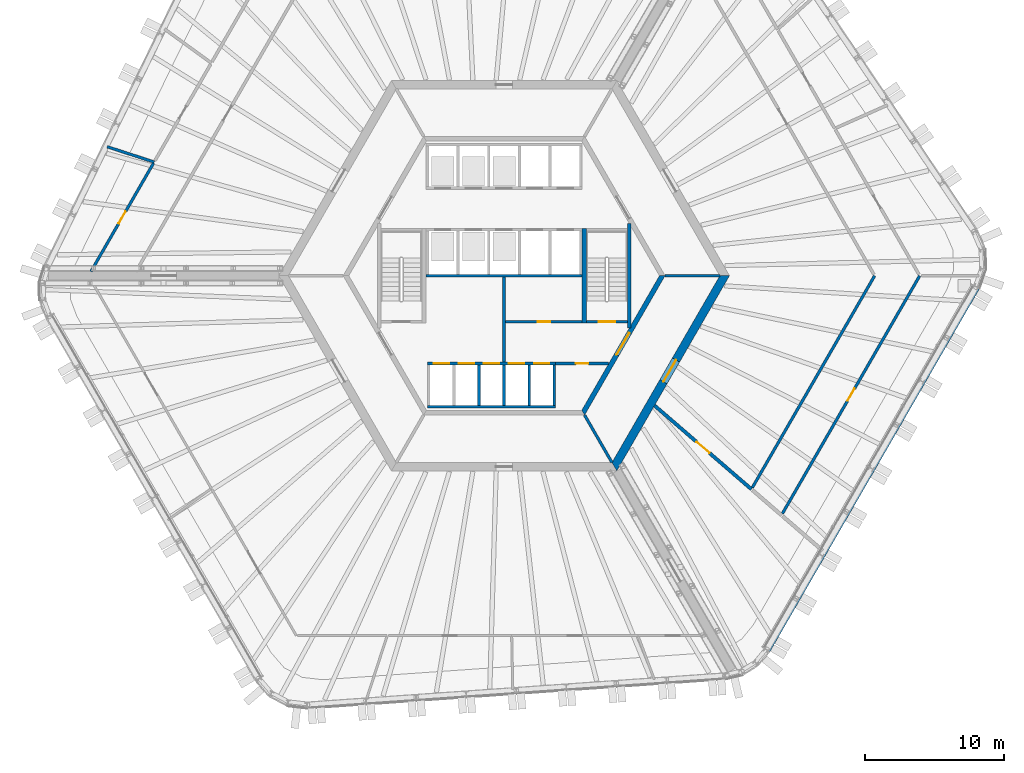
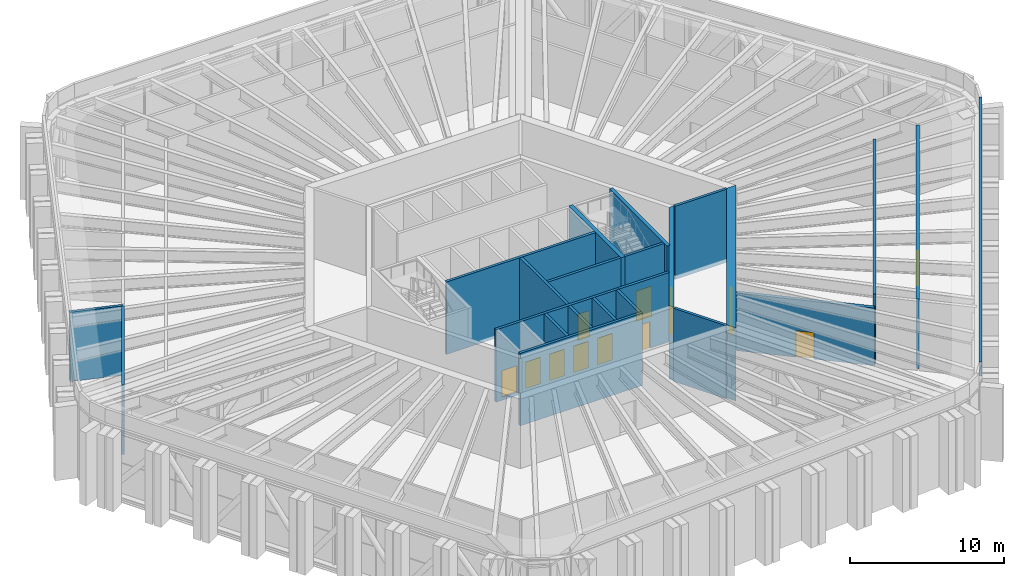
# One storey, part 14 of 27: 23 walls, 13 doors, 13 openings.
"""IFC4 building model written with IfcOpenShell, lengths in metres."""

from ifc_helpers import new_model, si_unit, direction, frame, frame_2d, origin, place, context, subcontext, project, spatial, polyline, rectangle, outline, extrude, material, layer, layer_set, type_object, element, fill, save


model = new_model("IFC4")

# Units and contexts
model_context = context("Model", 3, precision=1e-05, world=origin(), true_north=direction((0.0, 1.0)))
body_context = subcontext(model_context, "Body", "Model", "MODEL_VIEW")
ifc_project = project(units=[si_unit("LENGTHUNIT", "METRE"), si_unit("AREAUNIT", "SQUARE_METRE"), si_unit("VOLUMEUNIT", "CUBIC_METRE"), si_unit("PLANEANGLEUNIT", "RADIAN"), si_unit("MASSUNIT", "GRAM", prefix="KILO")], contexts=[model_context])

# Site, building, storey
site_placement = place(None, origin())
site = spatial("IfcSite", under=ifc_project, at=site_placement, CompositionType="ELEMENT")
building_placement = place(site_placement, origin())
building = spatial("IfcBuilding", under=site, at=building_placement, Name="Tarnside Tower", CompositionType="ELEMENT")
storey_placement = place(building_placement, frame((0.0, 0.0, 146.699951171875)))
storey = spatial("IfcBuildingStorey", under=building, at=storey_placement, Name="L34", CompositionType="ELEMENT", Elevation=146.699951171875)

# Wall, opening, door
ifc_material_1 = material(Name="Concrete C50/60", Category="concrete")
ifc_layer_1 = layer(ifc_material_1, 0.35009765625)
ifc_layer_set_1 = layer_set([ifc_layer_1], Name="Core block wall 350 C50/60")
wall_type_1 = type_object("IfcWallType", Name="Core block wall 350 C50/60", PredefinedType="SHEAR", material=ifc_layer_set_1)
wall_1_placement = place(storey_placement, frame((5.672607421875, -9.824951171875, -0.300048828125), z_axis=(0.0, 0.0, 1.0), x_axis=(0.499995046907, 0.866028263435, 0.0)))
wall_1 = element("IfcWall", 1, at=wall_1_placement, inside=storey, type_object=wall_type_1, Name="L34 core block wall face 5", PredefinedType="SHEAR", context=body_context, shape_type="SweptSolid", body=[
    extrude(outline(polyline([(-0.10107421875, -0.175048828125), (11.44580078125, -0.175048828125), (11.24365234375, 0.175048828125), (0.10107421875, 0.175048828125), (-0.10107421875, -0.175048828125)])), origin(), (0.0, 0.0, 1.0), 5.800048828125),
])
opening_1_placement = place(wall_1_placement, frame((4.80126953125, 0.0, 0.300048828125)))
opening_1 = element("IfcOpeningElement", 2, at=opening_1_placement, cuts=wall_1, Name="Opening CD-FFL", PredefinedType="OPENING", context=body_context, shape_type="SweptSolid", body=[
    extrude(rectangle(XDim=1.800048828125, YDim=2.39990234375, at=frame_2d((0.89990234375, 1.199951171875))), frame((0.0, 0.18505859375, 0.0), z_axis=(0.0, -1.0, 0.0), x_axis=(1.0, 0.0, 0.0)), (0.0, 0.0, 1.0), 0.3701171875),
])
ifc_material_2 = material(Name="Steel fire door", Category="steel")
door_type_1 = type_object("IfcDoorType", Name="Firefighting lobby double door FD60S 1800x2400", OperationType="NOTDEFINED", PredefinedType="DOOR", material=ifc_material_2)
door_1_placement = place(opening_1_placement, origin())
door_1 = element("IfcDoor", 3, at=door_1_placement, inside=storey, type_object=door_type_1, Name="L34 lobby block door P4", OperationType="DOUBLE_DOOR_SINGLE_SWING", OverallHeight=2.39990234375, OverallWidth=1.800048828125, PredefinedType="DOOR", context=body_context, shape_type="SweptSolid", body=[
    extrude(rectangle(XDim=1.800048828125, YDim=2.39990234375, at=frame_2d((0.89990234375, 1.199951171875))), frame((0.0, 0.02490234375, 0.0), z_axis=(0.0, -1.0, 0.0), x_axis=(1.0, 0.0, 0.0)), (0.0, 0.0, 1.0), 0.050048828125),
])
fill(opening_1, door_1)

ifc_material_3 = material(Name="Concrete C40/50", Category="concrete")
ifc_layer_2 = layer(ifc_material_3, 0.199951171875)
ifc_layer_set_2 = layer_set([ifc_layer_2], Name="Core room partition 200 C40/50")
wall_type_2 = type_object("IfcWallType", Name="Core room partition 200 C40/50", PredefinedType="PARTITIONING", material=ifc_layer_set_2)
wall_2_placement = place(storey_placement, frame((0.10009765625, -3.300048828125, 0.0), z_axis=(0.0, 0.0, 1.0), x_axis=(1.0, 0.0, 0.0)))
wall_2 = element("IfcWall", 4, at=wall_2_placement, inside=storey, type_object=wall_type_2, Name="L34 core partition R3S1", PredefinedType="PARTITIONING", context=body_context, shape_type="SweptSolid", body=[
    extrude(rectangle(XDim=5.5, YDim=0.199951171875, at=frame_2d((2.75, 0.0))), origin(), (0.0, 0.0, 1.0), 5.5),
])
opening_2_placement = place(wall_2_placement, frame((2.300048828125, 0.0, 0.0)))
opening_2 = element("IfcOpeningElement", 5, at=opening_2_placement, cuts=wall_2, Name="Opening CD-room", PredefinedType="OPENING", context=body_context, shape_type="SweptSolid", body=[
    extrude(rectangle(XDim=0.89990234375, YDim=2.10009765625, at=frame_2d((0.449951171875, 1.050048828125))), frame((0.0, 0.10986328125, 0.0), z_axis=(0.0, -1.0, 0.0), x_axis=(1.0, 0.0, 0.0)), (0.0, 0.0, 1.0), 0.219970703125),
])
door_type_2 = type_object("IfcDoorType", Name="Room door FD60 900x2100", OperationType="NOTDEFINED", PredefinedType="DOOR", material=ifc_material_2)
door_2_placement = place(opening_2_placement, origin())
door_2 = element("IfcDoor", 6, at=door_2_placement, inside=storey, type_object=door_type_2, Name="L34 core room door SR1", OperationType="SINGLE_SWING_LEFT", OverallHeight=2.10009765625, OverallWidth=0.89990234375, PredefinedType="DOOR", context=body_context, shape_type="SweptSolid", body=[
    extrude(rectangle(XDim=0.89990234375, YDim=2.10009765625, at=frame_2d((0.449951171875, 1.050048828125))), frame((0.0, 0.02490234375, 0.0), z_axis=(0.0, -1.0, 0.0), x_axis=(1.0, 0.0, 0.0)), (0.0, 0.0, 1.0), 0.050048828125),
])
fill(opening_2, door_2)

# Wall
wall_3_placement = place(storey_placement, frame((0.0, -6.199951171875, 0.0), z_axis=(0.0, 0.0, 1.0), x_axis=(0.0, 1.0, 0.0)))
element("IfcWall", 7, at=wall_3_placement, inside=storey, type_object=wall_type_2, Name="L34 core partition X0", PredefinedType="PARTITIONING", context=body_context, shape_type="SweptSolid", body=[
    extrude(rectangle(XDim=6.099853515625, YDim=0.199951171875, at=frame_2d((3.0498046875, 0.0))), origin(), (0.0, 0.0, 1.0), 5.5),
])

# Wall, opening, door
wall_4_placement = place(storey_placement, frame((3.699951171875, -6.300048828125, 0.0), z_axis=(0.0, 0.0, 1.0), x_axis=(1.0, 0.0, 0.0)))
wall_4 = element("IfcWall", 8, at=wall_4_placement, inside=storey, type_object=wall_type_2, Name="L34 core partition R4X", PredefinedType="PARTITIONING", context=body_context, shape_type="SweptSolid", body=[
    extrude(rectangle(XDim=3.8056640625, YDim=0.199951171875, at=frame_2d((1.90283203125, 0.0))), origin(), (0.0, 0.0, 1.0), 5.5),
])
opening_3_placement = place(wall_4_placement, frame((1.452880859375, 0.0, 0.0)))
opening_3 = element("IfcOpeningElement", 9, at=opening_3_placement, cuts=wall_4, Name="Opening CD-room", PredefinedType="OPENING", context=body_context, shape_type="SweptSolid", body=[
    extrude(rectangle(XDim=0.89990234375, YDim=2.10009765625, at=frame_2d((0.449951171875, 1.050048828125))), frame((0.0, 0.10986328125, 0.0), z_axis=(0.0, -1.0, 0.0), x_axis=(1.0, 0.0, 0.0)), (0.0, 0.0, 1.0), 0.219970703125),
])
door_3_placement = place(opening_3_placement, origin())
door_3 = element("IfcDoor", 10, at=door_3_placement, inside=storey, type_object=door_type_2, Name="L34 core room door RX", OperationType="SINGLE_SWING_LEFT", OverallHeight=2.10009765625, OverallWidth=0.89990234375, PredefinedType="DOOR", context=body_context, shape_type="SweptSolid", body=[
    extrude(rectangle(XDim=0.89990234375, YDim=2.10009765625, at=frame_2d((0.449951171875, 1.050048828125))), frame((0.0, 0.02490234375, 0.0), z_axis=(0.0, -1.0, 0.0), x_axis=(1.0, 0.0, 0.0)), (0.0, 0.0, 1.0), 0.050048828125),
])
fill(opening_3, door_3)

ifc_material_4 = material(Name="Concrete C80/95", Category="concrete")
ifc_layer_3 = layer(ifc_material_4, 0.60009765625)
ifc_layer_set_3 = layer_set([ifc_layer_3], Name="Core wall Z1 600 C80/95")
wall_type_3 = type_object("IfcWallType", Name="Core wall Z1 600 C80/95", PredefinedType="SHEAR", material=ifc_layer_set_3)
wall_5_placement = place(storey_placement, frame((7.90966796875, -13.699951171875, -0.300048828125), z_axis=(0.0, 0.0, 1.0), x_axis=(0.499999880136, 0.866025472988, 0.0)))
wall_5 = element("IfcWall", 11, at=wall_5_placement, inside=storey, type_object=wall_type_3, Name="L34 core wall face 5", PredefinedType="SHEAR", context=body_context, shape_type="SweptSolid", body=[
    extrude(outline(polyline([(-0.17333984375, -0.300048828125), (15.99267578125, -0.300048828125), (15.64599609375, 0.300048828125), (0.17333984375, 0.300048828125), (-0.17333984375, -0.300048828125)])), origin(), (0.0, 0.0, 1.0), 5.800048828125),
])
opening_4_placement = place(wall_5_placement, frame((7.03857421875, 0.0, 0.300048828125)))
opening_4 = element("IfcOpeningElement", 12, at=opening_4_placement, cuts=wall_5, Name="Opening CD-FFL", PredefinedType="OPENING", context=body_context, shape_type="SweptSolid", body=[
    extrude(rectangle(XDim=1.800048828125, YDim=2.39990234375, at=frame_2d((0.89990234375, 1.199951171875))), frame((0.0, 0.31005859375, 0.0), z_axis=(0.0, -1.0, 0.0), x_axis=(1.0, 0.0, 0.0)), (0.0, 0.0, 1.0), 0.6201171875),
])
door_4_placement = place(opening_4_placement, origin())
door_4 = element("IfcDoor", 13, at=door_4_placement, inside=storey, type_object=door_type_1, Name="L34 core door P4", OperationType="DOUBLE_DOOR_SINGLE_SWING", OverallHeight=2.39990234375, OverallWidth=1.800048828125, PredefinedType="DOOR", context=body_context, shape_type="SweptSolid", body=[
    extrude(rectangle(XDim=1.800048828125, YDim=2.39990234375, at=frame_2d((0.89990234375, 1.199951171875))), frame((0.0, 0.02490234375, 0.0), z_axis=(0.0, -1.0, 0.0), x_axis=(1.0, 0.0, 0.0)), (0.0, 0.0, 1.0), 0.050048828125),
])
fill(opening_4, door_4)

# Wall
ifc_layer_4 = layer(ifc_material_3, 0.199951171875)
ifc_layer_set_4 = layer_set([ifc_layer_4], Name="Lift shaft wall 200 C40/50")
wall_type_4 = type_object("IfcWallType", Name="Lift shaft wall 200 C40/50", PredefinedType="SHEAR", material=ifc_layer_set_4)
wall_6_placement = place(storey_placement, frame((-5.60009765625, 0.0, -0.25), z_axis=(0.0, 0.0, 1.0), x_axis=(1.0, 0.0, 0.0)))
element("IfcWall", 14, at=wall_6_placement, inside=storey, type_object=wall_type_4, Name="L34 lift shaft back wall R2", PredefinedType="SHEAR", context=body_context, shape_type="SweptSolid", body=[
    extrude(rectangle(XDim=11.2001953125, YDim=0.199951171875, at=frame_2d((5.60009765625, 0.0))), origin(), (0.0, 0.0, 1.0), 5.75),
])

# Wall, openings, doors
wall_7_placement = place(storey_placement, frame((-5.5, -6.300048828125, -0.25), z_axis=(0.0, 0.0, 1.0), x_axis=(1.0, 0.0, 0.0)))
wall_7 = element("IfcWall", 15, at=wall_7_placement, inside=storey, type_object=wall_type_4, Name="L34 lift shaft front wall R4", PredefinedType="SHEAR", context=body_context, shape_type="SweptSolid", body=[
    extrude(rectangle(XDim=9.199951171875, YDim=0.199951171875, at=frame_2d((4.60009765625, 0.0))), origin(), (0.0, 0.0, 1.0), 5.75),
])
opening_5_placement = place(wall_7_placement, frame((0.449951171875, 0.0, 0.25)))
opening_5 = element("IfcOpeningElement", 16, at=opening_5_placement, cuts=wall_7, Name="Opening LDF", PredefinedType="OPENING", context=body_context, shape_type="SweptSolid", body=[
    extrude(rectangle(XDim=1.10009765625, YDim=2.10009765625, at=frame_2d((0.550048828125, 1.050048828125))), frame((0.0, 0.10986328125, 0.0), z_axis=(0.0, -1.0, 0.0), x_axis=(1.0, 0.0, 0.0)), (0.0, 0.0, 1.0), 0.219970703125),
])
opening_6_placement = place(wall_7_placement, frame((2.25, 0.0, 0.25)))
opening_6 = element("IfcOpeningElement", 17, at=opening_6_placement, cuts=wall_7, Name="Opening LDF", PredefinedType="OPENING", context=body_context, shape_type="SweptSolid", body=[
    extrude(rectangle(XDim=1.10009765625, YDim=2.10009765625, at=frame_2d((0.550048828125, 1.050048828125))), frame((0.0, 0.10986328125, 0.0), z_axis=(0.0, -1.0, 0.0), x_axis=(1.0, 0.0, 0.0)), (0.0, 0.0, 1.0), 0.219970703125),
])
opening_7_placement = place(wall_7_placement, frame((4.050048828125, 0.0, 0.25)))
opening_7 = element("IfcOpeningElement", 18, at=opening_7_placement, cuts=wall_7, Name="Opening LDF", PredefinedType="OPENING", context=body_context, shape_type="SweptSolid", body=[
    extrude(rectangle(XDim=1.10009765625, YDim=2.10009765625, at=frame_2d((0.550048828125, 1.050048828125))), frame((0.0, 0.10986328125, 0.0), z_axis=(0.0, -1.0, 0.0), x_axis=(1.0, 0.0, 0.0)), (0.0, 0.0, 1.0), 0.219970703125),
])
opening_8_placement = place(wall_7_placement, frame((5.85009765625, 0.0, 0.25)))
opening_8 = element("IfcOpeningElement", 19, at=opening_8_placement, cuts=wall_7, Name="Opening LDF", PredefinedType="OPENING", context=body_context, shape_type="SweptSolid", body=[
    extrude(rectangle(XDim=1.10009765625, YDim=2.10009765625, at=frame_2d((0.550048828125, 1.050048828125))), frame((0.0, 0.10986328125, 0.0), z_axis=(0.0, -1.0, 0.0), x_axis=(1.0, 0.0, 0.0)), (0.0, 0.0, 1.0), 0.219970703125),
])
opening_9_placement = place(wall_7_placement, frame((7.64990234375, 0.0, 0.25)))
opening_9 = element("IfcOpeningElement", 20, at=opening_9_placement, cuts=wall_7, Name="Opening LDF", PredefinedType="OPENING", context=body_context, shape_type="SweptSolid", body=[
    extrude(rectangle(XDim=1.10009765625, YDim=2.10009765625, at=frame_2d((0.550048828125, 1.050048828125))), frame((0.0, 0.10986328125, 0.0), z_axis=(0.0, -1.0, 0.0), x_axis=(1.0, 0.0, 0.0)), (0.0, 0.0, 1.0), 0.219970703125),
])
ifc_material_5 = material(Name="Stainless steel", Category="steel")
door_type_3 = type_object("IfcDoorType", Name="Lift landing door 1100x2100 EI 120", OperationType="NOTDEFINED", PredefinedType="DOOR", material=ifc_material_5)
door_5_placement = place(opening_5_placement, origin())
door_5 = element("IfcDoor", 21, at=door_5_placement, inside=storey, type_object=door_type_3, Name="Firefighting lift 1 landing door L34", OperationType="SLIDING_TO_LEFT", OverallHeight=2.10009765625, OverallWidth=1.10009765625, PredefinedType="DOOR", context=body_context, shape_type="SweptSolid", body=[
    extrude(rectangle(XDim=1.10009765625, YDim=2.10009765625, at=frame_2d((0.550048828125, 1.050048828125))), frame((0.0, 0.02490234375, 0.0), z_axis=(0.0, -1.0, 0.0), x_axis=(1.0, 0.0, 0.0)), (0.0, 0.0, 1.0), 0.050048828125),
])
fill(opening_5, door_5)
door_6_placement = place(opening_6_placement, origin())
door_6 = element("IfcDoor", 22, at=door_6_placement, inside=storey, type_object=door_type_3, Name="Firefighting lift 2 landing door L34", OperationType="SLIDING_TO_LEFT", OverallHeight=2.10009765625, OverallWidth=1.10009765625, PredefinedType="DOOR", context=body_context, shape_type="SweptSolid", body=[
    extrude(rectangle(XDim=1.10009765625, YDim=2.10009765625, at=frame_2d((0.550048828125, 1.050048828125))), frame((0.0, 0.02490234375, 0.0), z_axis=(0.0, -1.0, 0.0), x_axis=(1.0, 0.0, 0.0)), (0.0, 0.0, 1.0), 0.050048828125),
])
fill(opening_6, door_6)
door_7_placement = place(opening_7_placement, origin())
door_7 = element("IfcDoor", 23, at=door_7_placement, inside=storey, type_object=door_type_3, Name="Firefighting lift 3 landing door L34", OperationType="SLIDING_TO_LEFT", OverallHeight=2.10009765625, OverallWidth=1.10009765625, PredefinedType="DOOR", context=body_context, shape_type="SweptSolid", body=[
    extrude(rectangle(XDim=1.10009765625, YDim=2.10009765625, at=frame_2d((0.550048828125, 1.050048828125))), frame((0.0, 0.02490234375, 0.0), z_axis=(0.0, -1.0, 0.0), x_axis=(1.0, 0.0, 0.0)), (0.0, 0.0, 1.0), 0.050048828125),
])
fill(opening_7, door_7)
door_8_placement = place(opening_8_placement, origin())
door_8 = element("IfcDoor", 24, at=door_8_placement, inside=storey, type_object=door_type_3, Name="Firefighting lift 4 landing door L34", OperationType="SLIDING_TO_LEFT", OverallHeight=2.10009765625, OverallWidth=1.10009765625, PredefinedType="DOOR", context=body_context, shape_type="SweptSolid", body=[
    extrude(rectangle(XDim=1.10009765625, YDim=2.10009765625, at=frame_2d((0.550048828125, 1.050048828125))), frame((0.0, 0.02490234375, 0.0), z_axis=(0.0, -1.0, 0.0), x_axis=(1.0, 0.0, 0.0)), (0.0, 0.0, 1.0), 0.050048828125),
])
fill(opening_8, door_8)
door_9_placement = place(opening_9_placement, origin())
door_9 = element("IfcDoor", 25, at=door_9_placement, inside=storey, type_object=door_type_3, Name="Firefighting lift 5 landing door L34", OperationType="SLIDING_TO_LEFT", OverallHeight=2.10009765625, OverallWidth=1.10009765625, PredefinedType="DOOR", context=body_context, shape_type="SweptSolid", body=[
    extrude(rectangle(XDim=1.10009765625, YDim=2.10009765625, at=frame_2d((0.550048828125, 1.050048828125))), frame((0.0, 0.02490234375, 0.0), z_axis=(0.0, -1.0, 0.0), x_axis=(1.0, 0.0, 0.0)), (0.0, 0.0, 1.0), 0.050048828125),
])
fill(opening_9, door_9)

# Walls
wall_8_placement = place(storey_placement, frame((-5.5, -9.39990234375, -0.25), z_axis=(0.0, 0.0, 1.0), x_axis=(1.0, 0.0, 0.0)))
element("IfcWall", 26, at=wall_8_placement, inside=storey, type_object=wall_type_4, Name="L34 lift shaft back wall R4", PredefinedType="SHEAR", context=body_context, shape_type="SweptSolid", body=[
    extrude(rectangle(XDim=9.199951171875, YDim=0.199951171875, at=frame_2d((4.60009765625, 0.0))), origin(), (0.0, 0.0, 1.0), 5.75),
])
for number, where, z_axis, x_axis, name in (
    (27, (-1.800048828125, -9.300048828125, -0.25), (0.0, 0.0, 1.0), (0.0, 1.0, 0.0), "L34 lift shaft partition R43"),
    (28, (0.0, -9.300048828125, -0.25), (0.0, 0.0, 1.0), (0.0, 1.0, 0.0), "L34 lift shaft partition R44"),
    (29, (1.800048828125, -9.300048828125, -0.25), (0.0, 0.0, 1.0), (0.0, 1.0, 0.0), "L34 lift shaft partition R45"),
    (30, (3.60009765625, -9.300048828125, -0.25), (0.0, 0.0, 1.0), (0.0, 1.0, 0.0), "L34 lift shaft partition R46"),
):
    element("IfcWall", number, at=place(storey_placement, frame(where, z_axis=z_axis, x_axis=x_axis)), inside=storey, type_object=wall_type_4, Name=name, PredefinedType="SHEAR", context=body_context, shape_type="SweptSolid", body=[
        extrude(rectangle(XDim=2.900146484375, YDim=0.199951171875, at=frame_2d((1.4501953125, 0.0))), origin(), (0.0, 0.0, 1.0), 5.75),
    ])
wall_9_placement = place(storey_placement, frame((11.547119140625, 0.0, -0.300048828125), z_axis=(0.0, 0.0, 1.0), x_axis=(1.0, 0.0, 0.0)))
element("IfcWall", 31, at=wall_9_placement, inside=storey, type_object=wall_type_4, Name="L34 core partition AR0", PredefinedType="SHEAR", context=body_context, shape_type="SweptSolid", body=[
    extrude(rectangle(XDim=3.92578125, YDim=0.199951171875, at=frame_2d((1.962890625, 0.0))), origin(), (0.0, 0.0, 1.0), 5.800048828125),
])
wall_10_placement = place(storey_placement, frame((5.7734375, -10.0, -0.300048828125), z_axis=(0.0, 0.0, 1.0), x_axis=(0.500038251005, -0.86600331843, 0.0)))
element("IfcWall", 32, at=wall_10_placement, inside=storey, type_object=wall_type_4, Name="L34 core partition AR300", PredefinedType="SHEAR", context=body_context, shape_type="SweptSolid", body=[
    extrude(rectangle(XDim=3.926025390625, YDim=0.199951171875, at=frame_2d((1.962890625, 0.0))), origin(), (0.0, 0.0, 1.0), 5.800048828125),
])

# Wall, opening, door
wall_11_placement = place(storey_placement, frame((5.89990234375, -3.300048828125, -0.25), z_axis=(0.0, 0.0, 1.0), x_axis=(1.0, 0.0, 0.0)))
wall_11 = element("IfcWall", 33, at=wall_11_placement, inside=storey, type_object=wall_type_4, Name="L34 stair 1 enclosure cap wall s", PredefinedType="SHEAR", context=body_context, shape_type="SweptSolid", body=[
    extrude(rectangle(XDim=2.9501953125, YDim=0.199951171875, at=frame_2d((1.47509765625, 0.0))), origin(), (0.0, 0.0, 1.0), 5.75),
])
opening_10_placement = place(wall_11_placement, frame((0.875, 0.0, 0.25)))
opening_10 = element("IfcOpeningElement", 34, at=opening_10_placement, cuts=wall_11, Name="Opening CD-STR", PredefinedType="OPENING", context=body_context, shape_type="SweptSolid", body=[
    extrude(rectangle(XDim=1.199951171875, YDim=2.39990234375, at=frame_2d((0.60009765625, 1.199951171875))), frame((0.0, 0.10986328125, 0.0), z_axis=(0.0, -1.0, 0.0), x_axis=(1.0, 0.0, 0.0)), (0.0, 0.0, 1.0), 0.219970703125),
])
door_type_4 = type_object("IfcDoorType", Name="Stair door FD60S 1200x2400", OperationType="NOTDEFINED", PredefinedType="DOOR", material=ifc_material_2)
door_10_placement = place(opening_10_placement, origin())
door_10 = element("IfcDoor", 35, at=door_10_placement, inside=storey, type_object=door_type_4, Name="L34 stair 1 door", OperationType="SINGLE_SWING_LEFT", OverallHeight=2.39990234375, OverallWidth=1.199951171875, PredefinedType="DOOR", context=body_context, shape_type="SweptSolid", body=[
    extrude(rectangle(XDim=1.199951171875, YDim=2.39990234375, at=frame_2d((0.60009765625, 1.199951171875))), frame((0.0, 0.02490234375, 0.0), z_axis=(0.0, -1.0, 0.0), x_axis=(1.0, 0.0, 0.0)), (0.0, 0.0, 1.0), 0.050048828125),
])
fill(opening_10, door_10)

# Walls
ifc_material_6 = material(Name="Concrete C35/45 precast", Category="concrete")
ifc_layer_5 = layer(ifc_material_6, 0.199951171875)
ifc_layer_set_5 = layer_set([ifc_layer_5], Name="Parapet 200 x 1100")
wall_type_5 = type_object("IfcWallType", Name="Parapet 200 x 1100", PredefinedType="PARAPET", material=ifc_layer_set_5)
wall_12_placement = place(storey_placement, frame((34.0126953125, -0.88818359375, 5.699951171875), z_axis=(0.0, 0.0, 1.0), x_axis=(-0.499996465352, -0.866027444505, 0.0)))
element("IfcWall", 36, at=wall_12_placement, inside=storey, type_object=wall_type_5, Name="Roof parapet 08", PredefinedType="PARAPET", context=body_context, shape_type="SweptSolid", body=[
    extrude(outline(polyline([(0.00927734375, -0.10009765625), (30.04541015625, -0.10009765625), (30.0615234375, 0.10009765625), (-0.00927734375, 0.10009765625), (0.00927734375, -0.10009765625)])), origin(), (0.0, 0.0, 1.0), 1.10009765625),
])
ifc_layer_6 = layer(ifc_material_3, 0.25)
ifc_layer_set_6 = layer_set([ifc_layer_6], Name="Stair enclosure wall 250 C40/50")
wall_type_6 = type_object("IfcWallType", Name="Stair enclosure wall 250 C40/50", PredefinedType="SHEAR", material=ifc_layer_set_6)
wall_13_placement = place(storey_placement, frame((8.97509765625, -3.7548828125, -0.25), z_axis=(0.0, 0.0, 1.0), x_axis=(0.0, 1.0, 0.0)))
element("IfcWall", 37, at=wall_13_placement, inside=storey, type_object=wall_type_6, Name="L34 stair 1 enclosure wall outer", PredefinedType="SHEAR", context=body_context, shape_type="SweptSolid", body=[
    extrude(rectangle(XDim=7.509765625, YDim=0.25, at=frame_2d((3.7548828125, 0.0))), origin(), (0.0, 0.0, 1.0), 5.75),
])
ifc_layer_7 = layer(ifc_material_3, 0.300048828125)
ifc_layer_set_7 = layer_set([ifc_layer_7], Name="Stair enclosure wall 300 C40/50")
wall_type_7 = type_object("IfcWallType", Name="Stair enclosure wall 300 C40/50", PredefinedType="SHEAR", material=ifc_layer_set_7)
wall_14_placement = place(storey_placement, frame((5.75, -3.39990234375, -0.25), z_axis=(0.0, 0.0, 1.0), x_axis=(0.0, 1.0, 0.0)))
element("IfcWall", 38, at=wall_14_placement, inside=storey, type_object=wall_type_7, Name="L34 stair 1 enclosure wall inner", PredefinedType="SHEAR", context=body_context, shape_type="SweptSolid", body=[
    extrude(rectangle(XDim=6.7998046875, YDim=0.300048828125, at=frame_2d((3.39990234375, 0.0))), origin(), (0.0, 0.0, 1.0), 5.75),
])
ifc_material_7 = material(Name="Concrete C32/40", Category="concrete")
ifc_layer_8 = layer(ifc_material_7, 0.199951171875)
ifc_layer_set_8 = layer_set([ifc_layer_8], Name="Wall 200 reinforced Concrete C32/40")
wall_type_8 = type_object("IfcWallType", Name="Wall 200 reinforced Concrete C32/40", PredefinedType="PARTITIONING", material=ifc_layer_set_8)
wall_15_placement = place(storey_placement, frame((-28.47412109375, 9.251708984375, 0.0), z_axis=(0.0, 0.0, 1.0), x_axis=(0.95105432493, -0.309023738622, 0.0)))
element("IfcWall", 39, at=wall_15_placement, inside=storey, type_object=wall_type_8, Name="Partition 001", PredefinedType="PARTITIONING", context=body_context, shape_type="SweptSolid", body=[
    extrude(rectangle(XDim=3.54248046875, YDim=0.199951171875, at=frame_2d((1.771240234375, 0.0))), origin(), (0.0, 0.0, 1.0), 5.5),
])

# Wall, opening, door
wall_16_placement = place(storey_placement, frame((-29.64111328125, 0.300048828125, 0.0), z_axis=(0.0, 0.0, 1.0), x_axis=(0.500005956145, 0.866021964975, 0.0)))
wall_16 = element("IfcWall", 40, at=wall_16_placement, inside=storey, type_object=wall_type_8, Name="Partition 002", PredefinedType="PARTITIONING", context=body_context, shape_type="SweptSolid", body=[
    extrude(rectangle(XDim=8.97021484375, YDim=0.199951171875, at=frame_2d((4.485107421875, 0.0))), origin(), (0.0, 0.0, 1.0), 5.5),
])
opening_11_placement = place(wall_16_placement, frame((3.985107421875, 0.0, 0.0)))
opening_11 = element("IfcOpeningElement", 41, at=opening_11_placement, cuts=wall_16, Name="Opening D1000F60", PredefinedType="OPENING", context=body_context, shape_type="SweptSolid", body=[
    extrude(rectangle(XDim=1.0, YDim=2.10009765625, at=frame_2d((0.5, 1.050048828125))), frame((0.0, 0.10986328125, 0.0), z_axis=(0.0, -1.0, 0.0), x_axis=(1.0, 0.0, 0.0)), (0.0, 0.0, 1.0), 0.219970703125),
])
ifc_material_8 = material(Name="Timber door leaf", Category="wood")
door_type_5 = type_object("IfcDoorType", Name="Door 1000 x 2100 single leaf FD60 fire door", OperationType="NOTDEFINED", PredefinedType="DOOR", material=ifc_material_8)
door_11_placement = place(opening_11_placement, origin())
door_11 = element("IfcDoor", 42, at=door_11_placement, inside=storey, type_object=door_type_5, Name="Door L34-02", OperationType="SINGLE_SWING_LEFT", OverallHeight=2.10009765625, OverallWidth=1.0, PredefinedType="DOOR", context=body_context, shape_type="SweptSolid", body=[
    extrude(rectangle(XDim=1.0, YDim=2.10009765625, at=frame_2d((0.5, 1.050048828125))), frame((0.0, 0.02490234375, 0.0), z_axis=(0.0, -1.0, 0.0), x_axis=(1.0, 0.0, 0.0)), (0.0, 0.0, 1.0), 0.050048828125),
])
fill(opening_11, door_11)

# Wall
wall_17_placement = place(storey_placement, frame((17.8037109375, -15.202880859375, 0.0), z_axis=(0.0, 0.0, 1.0), x_axis=(0.499998136973, 0.866026479401, 0.0)))
element("IfcWall", 43, at=wall_17_placement, inside=storey, type_object=wall_type_8, Name="Partition 022", PredefinedType="PARTITIONING", context=body_context, shape_type="SweptSolid", body=[
    extrude(rectangle(XDim=17.5546875, YDim=0.199951171875, at=frame_2d((8.77734375, 0.0))), origin(), (0.0, 0.0, 1.0), 5.5),
])

# Wall, opening, door
wall_18_placement = place(storey_placement, frame((29.81396484375, 0.0, 0.0), z_axis=(0.0, 0.0, 1.0), x_axis=(-0.499978059593, -0.866038070713, 0.0)))
wall_18 = element("IfcWall", 44, at=wall_18_placement, inside=storey, type_object=wall_type_8, Name="Partition 025", PredefinedType="PARTITIONING", context=body_context, shape_type="SweptSolid", body=[
    extrude(rectangle(XDim=19.70556640625, YDim=0.199951171875, at=frame_2d((9.852783203125, 0.0))), origin(), (0.0, 0.0, 1.0), 5.5),
])
opening_12_placement = place(wall_18_placement, frame((9.352783203125, 0.0, 0.0)))
opening_12 = element("IfcOpeningElement", 45, at=opening_12_placement, cuts=wall_18, Name="Opening D1000F60", PredefinedType="OPENING", context=body_context, shape_type="SweptSolid", body=[
    extrude(rectangle(XDim=1.0, YDim=2.10009765625, at=frame_2d((0.5, 1.050048828125))), frame((0.0, 0.10986328125, 0.0), z_axis=(0.0, -1.0, 0.0), x_axis=(1.0, 0.0, 0.0)), (0.0, 0.0, 1.0), 0.219970703125),
])
door_12_placement = place(opening_12_placement, origin())
door_12 = element("IfcDoor", 46, at=door_12_placement, inside=storey, type_object=door_type_5, Name="Door L34-14", OperationType="SINGLE_SWING_LEFT", OverallHeight=2.10009765625, OverallWidth=1.0, PredefinedType="DOOR", context=body_context, shape_type="SweptSolid", body=[
    extrude(rectangle(XDim=1.0, YDim=2.10009765625, at=frame_2d((0.5, 1.050048828125))), frame((0.0, 0.02490234375, 0.0), z_axis=(0.0, -1.0, 0.0), x_axis=(1.0, 0.0, 0.0)), (0.0, 0.0, 1.0), 0.050048828125),
])
fill(opening_12, door_12)

ifc_layer_9 = layer(ifc_material_7, 0.25)
ifc_layer_set_9 = layer_set([ifc_layer_9], Name="Wall 250 reinforced Concrete C32/40")
wall_type_9 = type_object("IfcWallType", Name="Wall 250 reinforced Concrete C32/40", PredefinedType="PARTITIONING", material=ifc_layer_set_9)
wall_19_placement = place(storey_placement, frame((17.739990234375, -15.31298828125, 0.0), z_axis=(0.0, 0.0, 1.0), x_axis=(-0.756988584599, 0.653428100702, 0.0)))
wall_19 = element("IfcWall", 47, at=wall_19_placement, inside=storey, type_object=wall_type_9, Name="Partition 021", PredefinedType="PARTITIONING", context=body_context, shape_type="SweptSolid", body=[
    extrude(rectangle(XDim=9.182373046875, YDim=0.25, at=frame_2d((4.59130859375, 0.0))), origin(), (0.0, 0.0, 1.0), 4.573486328125),
])
opening_13_placement = place(wall_19_placement, frame((3.9912109375, 0.0, 0.0)))
opening_13 = element("IfcOpeningElement", 48, at=opening_13_placement, cuts=wall_19, Name="Opening D1200F60S", PredefinedType="OPENING", context=body_context, shape_type="SweptSolid", body=[
    extrude(rectangle(XDim=1.199951171875, YDim=2.10009765625, at=frame_2d((0.60009765625, 1.050048828125))), frame((0.0, 0.135009765625, 0.0), z_axis=(0.0, -1.0, 0.0), x_axis=(1.0, 0.0, 0.0)), (0.0, 0.0, 1.0), 0.27001953125),
])
door_type_6 = type_object("IfcDoorType", Name="Door 1200 x 2100 single leaf FD60S fire door", OperationType="NOTDEFINED", PredefinedType="DOOR", material=ifc_material_8)
door_13_placement = place(opening_13_placement, origin())
door_13 = element("IfcDoor", 49, at=door_13_placement, inside=storey, type_object=door_type_6, Name="Door L34-12", OperationType="SINGLE_SWING_LEFT", OverallHeight=2.10009765625, OverallWidth=1.199951171875, PredefinedType="DOOR", context=body_context, shape_type="SweptSolid", body=[
    extrude(rectangle(XDim=1.199951171875, YDim=2.10009765625, at=frame_2d((0.60009765625, 1.050048828125))), frame((0.0, 0.02490234375, 0.0), z_axis=(0.0, -1.0, 0.0), x_axis=(1.0, 0.0, 0.0)), (0.0, 0.0, 1.0), 0.050048828125),
])
fill(opening_13, door_13)

save(model, "model.ifc")
